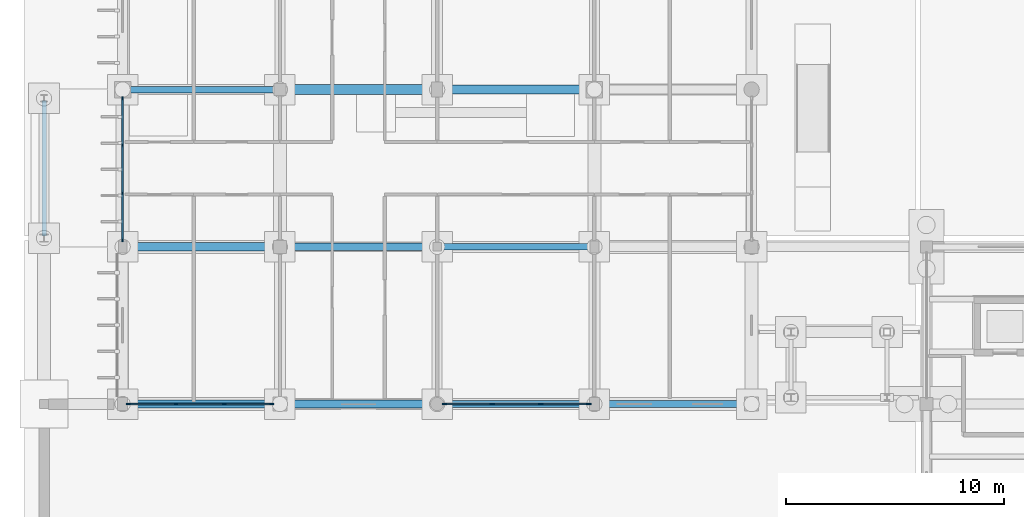
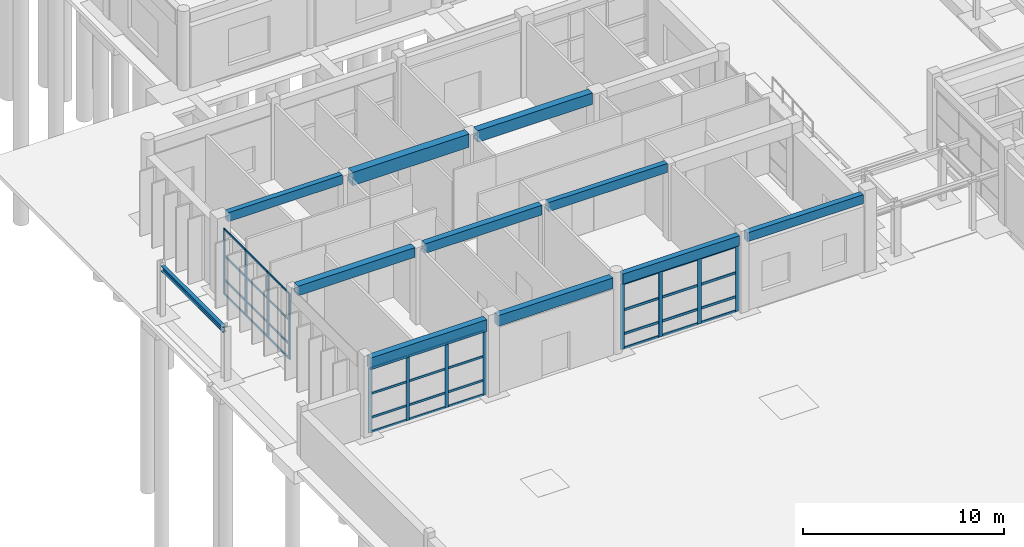
# One storey, part 34 of 143: 48 members, 11 beams, 3 elements without a shape of their own.
"""IFC4 building model written with IfcOpenShell, lengths in metres."""

from ifc_helpers import new_model, si_unit, direction, frame, origin, origin_2d, place, context, subcontext, project, spatial, rectangle, i_section, extrude, material, material_profile, profile_set, type_object, element, aggregate, save


model = new_model("IFC4")

# Units and contexts
model_context = context("Model", 3, precision=1e-05, world=origin(), true_north=direction((0.0, 1.0)))
body_context = subcontext(model_context, "Body", "Model", "MODEL_VIEW")
ifc_project = project(units=[si_unit("LENGTHUNIT", "METRE"), si_unit("AREAUNIT", "SQUARE_METRE"), si_unit("VOLUMEUNIT", "CUBIC_METRE"), si_unit("PLANEANGLEUNIT", "RADIAN"), si_unit("MASSUNIT", "GRAM", prefix="KILO")], contexts=[model_context])

# Site, building, storey
site_placement = place(None, origin())
site = spatial("IfcSite", under=ifc_project, at=site_placement, CompositionType="ELEMENT")
building_placement = place(site_placement, origin())
building = spatial("IfcBuilding", under=site, at=building_placement, Name="Steenspoor Specialist Clinic", CompositionType="ELEMENT")
storey_placement = place(building_placement, origin())
storey = spatial("IfcBuildingStorey", under=building, at=storey_placement, Name="L00", CompositionType="ELEMENT", Elevation=0.0)

# Beams
ifc_material_1 = material(Name="Concrete C35/45", Category="concrete")
ifc_material_profile_1 = material_profile(ifc_material_1, rectangle(XDim=0.300048828125, YDim=0.550048828125, at=origin_2d()), Name="RC-BM-300X550")
ifc_profile_set_1 = profile_set([ifc_material_profile_1], Name="Concrete C35/45")
beam_type_1 = type_object("IfcBeamType", Name="BM-RC-300X550", PredefinedType="BEAM", material=ifc_profile_set_1)
beam_1_placement = place(storey_placement, frame((22.9951171875, 41.85009765625, 4.360107421875), z_axis=(1.0, 0.0, 0.0), x_axis=(0.0, 1.0, 0.0)))
element("IfcBeam", 1, at=beam_1_placement, inside=storey, type_object=beam_type_1, Name="BM-V3-L00-X0276", PredefinedType="BEAM", context=body_context, shape_type="SweptSolid", body=[
    extrude(rectangle(XDim=0.300048828125, YDim=0.550048828125, at=origin_2d()), origin(), (0.0, 0.0, 1.0), 6.809814453125),
])
beam_2_placement = place(storey_placement, frame((8.77001953125, 49.050048828125, 4.360107421875), z_axis=(1.0, 0.0, 0.0), x_axis=(0.0, 1.0, 0.0)))
element("IfcBeam", 2, at=beam_2_placement, inside=storey, type_object=beam_type_1, Name="BM-V3-L00-X0278", PredefinedType="BEAM", context=body_context, shape_type="SweptSolid", body=[
    extrude(rectangle(XDim=0.300048828125, YDim=0.550048828125, at=origin_2d()), origin(), (0.0, 0.0, 1.0), 6.56005859375),
])
ifc_material_profile_2 = material_profile(ifc_material_1, rectangle(XDim=0.35009765625, YDim=0.580078125, at=origin_2d()), Name="RC-BM-350X580")
ifc_profile_set_2 = profile_set([ifc_material_profile_2], Name="Concrete C35/45")
beam_type_2 = type_object("IfcBeamType", Name="BM-RC-350X580", PredefinedType="BEAM", material=ifc_profile_set_2)
beam_3_placement = place(storey_placement, frame((15.89501953125, 41.85009765625, 4.344970703125), z_axis=(1.0, 0.0, 0.0), x_axis=(0.0, 1.0, 0.0)))
element("IfcBeam", 3, at=beam_3_placement, inside=storey, type_object=beam_type_2, Name="BM-V3-L00-X0275", PredefinedType="BEAM", context=body_context, shape_type="SweptSolid", body=[
    extrude(rectangle(XDim=0.35009765625, YDim=0.580078125, at=origin_2d()), origin(), (0.0, 0.0, 1.0), 6.7099609375),
])
ifc_material_profile_3 = material_profile(ifc_material_1, rectangle(XDim=0.39990234375, YDim=0.580078125, at=origin_2d()), Name="RC-BM-400X580")
ifc_profile_set_3 = profile_set([ifc_material_profile_3], Name="Concrete C35/45")
beam_type_3 = type_object("IfcBeamType", Name="BM-RC-400X580", PredefinedType="BEAM", material=ifc_profile_set_3)
beam_4_placement = place(storey_placement, frame((8.594970703125, 41.85009765625, 4.344970703125), z_axis=(1.0, 0.0, 0.0), x_axis=(0.0, 1.0, 0.0)))
element("IfcBeam", 4, at=beam_4_placement, inside=storey, type_object=beam_type_3, Name="BM-V3-L00-X0274", PredefinedType="BEAM", context=body_context, shape_type="SweptSolid", body=[
    extrude(rectangle(XDim=0.39990234375, YDim=0.580078125, at=origin_2d()), origin(), (0.0, 0.0, 1.0), 6.7099609375),
])
ifc_material_profile_4 = material_profile(ifc_material_1, rectangle(XDim=0.39990234375, YDim=0.699951171875, at=origin_2d()), Name="RC-BM-400X700")
ifc_profile_set_4 = profile_set([ifc_material_profile_4], Name="Concrete C35/45")
beam_type_4 = type_object("IfcBeamType", Name="BM-RC-400X700", PredefinedType="BEAM", material=ifc_profile_set_4)
beam_5_placement = place(storey_placement, frame((23.044921875, 49.050048828125, 4.284912109375), z_axis=(1.0, 0.0, 0.0), x_axis=(0.0, 1.0, 0.0)))
element("IfcBeam", 5, at=beam_5_placement, inside=storey, type_object=beam_type_4, Name="BM-V3-L00-X0280", PredefinedType="BEAM", context=body_context, shape_type="SweptSolid", body=[
    extrude(rectangle(XDim=0.39990234375, YDim=0.699951171875, at=origin_2d()), origin(), (0.0, 0.0, 1.0), 6.5849609375),
])
ifc_material_profile_5 = material_profile(ifc_material_1, rectangle(XDim=0.449951171875, YDim=0.800048828125, at=origin_2d()), Name="RC-BM-450X800")
ifc_profile_set_5 = profile_set([ifc_material_profile_5], Name="Concrete C35/45")
beam_type_5 = type_object("IfcBeamType", Name="BM-RC-450X800", PredefinedType="BEAM", material=ifc_profile_set_5)
beam_6_placement = place(storey_placement, frame((15.8701171875, 49.050048828125, 4.235107421875), z_axis=(1.0, 0.0, 0.0), x_axis=(0.0, 1.0, 0.0)))
element("IfcBeam", 6, at=beam_6_placement, inside=storey, type_object=beam_type_5, Name="BM-V3-L00-X0279", PredefinedType="BEAM", context=body_context, shape_type="SweptSolid", body=[
    extrude(rectangle(XDim=0.449951171875, YDim=0.800048828125, at=origin_2d()), origin(), (0.0, 0.0, 1.0), 6.684814453125),
])
ifc_material_2 = material(Name="Steel A992 Grade 50", Category="steel")
ifc_material_profile_6 = material_profile(ifc_material_2, i_section(OverallWidth=0.205078125, OverallDepth=0.31005859375, WebThickness=0.009521484375, FlangeThickness=0.016357421875, at=origin_2d()), Name="W310X74")
ifc_profile_set_6 = profile_set([ifc_material_profile_6], Name="Steel A992 Grade 50")
beam_type_6 = type_object("IfcBeamType", Name="BM-ST-W310X74", PredefinedType="SPANDREL", material=ifc_profile_set_6)
beam_7_placement = place(storey_placement, frame((4.800048828125, 42.35009765625, 2.929931640625), z_axis=(0.0, 1.0, 0.0), x_axis=(-1.0, 0.0, 0.0)))
element("IfcBeam", 7, at=beam_7_placement, inside=storey, type_object=beam_type_6, Name="BM-PORCH-WEST-01", PredefinedType="SPANDREL", context=body_context, shape_type="SweptSolid", body=[
    extrude(i_section(OverallWidth=0.205078125, OverallDepth=0.31005859375, WebThickness=0.009521484375, FlangeThickness=0.016357421875, at=origin_2d()), origin(), (0.0, 0.0, 1.0), 6.199951171875),
])

# Curtain wall, members
ifc_material_3 = material(Name="Thermally broken aluminium and low-emissivity glass", Category="aluminium")
curtain_wall_type_1 = type_object("IfcCurtainWallType", Name="CW-TYP-360X355", PredefinedType="USERDEFINED", material=ifc_material_3)
curtain_wall_1_placement = place(storey_placement, origin())
curtain_wall_1 = element("IfcCurtainWall", 8, at=curtain_wall_1_placement, inside=storey, type_object=curtain_wall_type_1, Name="Unitised Curtain Wall CW-V3-L00-038", ObjectType="UNITISED GLAZING", PredefinedType="USERDEFINED")
ifc_material_4 = material(Name="Thermally broken aluminium 6063-T6", Category="aluminium")
ifc_material_profile_7 = material_profile(ifc_material_4, rectangle(XDim=0.070068359375, YDim=0.1650390625, at=origin_2d()), Name="CWM-70X165")
ifc_profile_set_7 = profile_set([ifc_material_profile_7], Name="Thermally broken aluminium 6063-T6")
member_type_1 = type_object("IfcMemberType", Name="CW-MULL-70X165", PredefinedType="MULLION", material=ifc_profile_set_7)
member_1_placement = place(storey_placement, frame((8.39990234375, 42.159912109375, 0.0), z_axis=(0.0, 0.0, 1.0), x_axis=(-1.0, 0.0, 0.0)))
member_1 = element("IfcMember", 9, at=member_1_placement, type_object=member_type_1, Name="CW-14 mullion 1", PredefinedType="MULLION", context=body_context, shape_type="SweptSolid", body=[
    extrude(rectangle(XDim=0.070068359375, YDim=0.1650390625, at=origin_2d()), origin(), (0.0, 0.0, 1.0), 3.97998046875),
])
member_2_placement = place(storey_placement, frame((8.39990234375, 44.308349609375, 0.0), z_axis=(0.0, 0.0, 1.0), x_axis=(-1.0, 0.0, 0.0)))
member_2 = element("IfcMember", 10, at=member_2_placement, type_object=member_type_1, Name="CW-14 mullion 2", PredefinedType="MULLION", context=body_context, shape_type="SweptSolid", body=[
    extrude(rectangle(XDim=0.070068359375, YDim=0.1650390625, at=origin_2d()), origin(), (0.0, 0.0, 1.0), 3.97998046875),
])
member_3_placement = place(storey_placement, frame((8.39990234375, 46.49169921875, 0.0), z_axis=(0.0, 0.0, 1.0), x_axis=(-1.0, 0.0, 0.0)))
member_3 = element("IfcMember", 11, at=member_3_placement, type_object=member_type_1, Name="CW-14 mullion 3", PredefinedType="MULLION", context=body_context, shape_type="SweptSolid", body=[
    extrude(rectangle(XDim=0.070068359375, YDim=0.1650390625, at=origin_2d()), origin(), (0.0, 0.0, 1.0), 3.97998046875),
])
member_4_placement = place(storey_placement, frame((8.39990234375, 48.639892578125, 0.0), z_axis=(0.0, 0.0, 1.0), x_axis=(-1.0, 0.0, 0.0)))
member_4 = element("IfcMember", 12, at=member_4_placement, type_object=member_type_1, Name="CW-14 mullion 4", PredefinedType="MULLION", context=body_context, shape_type="SweptSolid", body=[
    extrude(rectangle(XDim=0.070068359375, YDim=0.1650390625, at=origin_2d()), origin(), (0.0, 0.0, 1.0), 3.97998046875),
])

curtain_wall_type_2 = type_object("IfcCurtainWallType", Name="CW-TYP-420X355", PredefinedType="USERDEFINED", material=ifc_material_3)
curtain_wall_2_placement = place(storey_placement, origin())
curtain_wall_2 = element("IfcCurtainWall", 13, at=curtain_wall_2_placement, inside=storey, type_object=curtain_wall_type_2, Name="Unitised Curtain Wall CW-V3-L00-037", ObjectType="UNITISED GLAZING", PredefinedType="USERDEFINED")
ifc_material_profile_8 = material_profile(ifc_material_4, rectangle(XDim=0.080078125, YDim=0.179931640625, at=origin_2d()), Name="CWM-80X180")
ifc_profile_set_8 = profile_set([ifc_material_profile_8], Name="Thermally broken aluminium 6063-T6")
member_type_2 = type_object("IfcMemberType", Name="CW-MULL-80X180", PredefinedType="MULLION", material=ifc_profile_set_8)
member_5_placement = place(storey_placement, frame((15.235107421875, 34.64990234375, 0.0), z_axis=(0.0, 0.0, 1.0), x_axis=(0.0, -1.0, 0.0)))
member_5 = element("IfcMember", 14, at=member_5_placement, type_object=member_type_2, Name="CW-13 mullion 1", PredefinedType="MULLION", context=body_context, shape_type="SweptSolid", body=[
    extrude(rectangle(XDim=0.080078125, YDim=0.179931640625, at=origin_2d()), origin(), (0.0, 0.0, 1.0), 3.89990234375),
])
member_6_placement = place(storey_placement, frame((13.058349609375, 34.64990234375, 0.0), z_axis=(0.0, 0.0, 1.0), x_axis=(0.0, -1.0, 0.0)))
member_6 = element("IfcMember", 15, at=member_6_placement, type_object=member_type_2, Name="CW-13 mullion 2", PredefinedType="MULLION", context=body_context, shape_type="SweptSolid", body=[
    extrude(rectangle(XDim=0.080078125, YDim=0.179931640625, at=origin_2d()), origin(), (0.0, 0.0, 1.0), 3.89990234375),
])
member_7_placement = place(storey_placement, frame((10.841552734375, 34.64990234375, 0.0), z_axis=(0.0, 0.0, 1.0), x_axis=(0.0, -1.0, 0.0)))
member_7 = element("IfcMember", 16, at=member_7_placement, type_object=member_type_2, Name="CW-13 mullion 3", PredefinedType="MULLION", context=body_context, shape_type="SweptSolid", body=[
    extrude(rectangle(XDim=0.080078125, YDim=0.179931640625, at=origin_2d()), origin(), (0.0, 0.0, 1.0), 3.89990234375),
])
member_8_placement = place(storey_placement, frame((8.6650390625, 34.64990234375, 0.0), z_axis=(0.0, 0.0, 1.0), x_axis=(0.0, -1.0, 0.0)))
member_8 = element("IfcMember", 17, at=member_8_placement, type_object=member_type_2, Name="CW-13 mullion 4", PredefinedType="MULLION", context=body_context, shape_type="SweptSolid", body=[
    extrude(rectangle(XDim=0.080078125, YDim=0.179931640625, at=origin_2d()), origin(), (0.0, 0.0, 1.0), 3.89990234375),
])

curtain_wall_type_3 = type_object("IfcCurtainWallType", Name="CW-TYP-480X355", PredefinedType="USERDEFINED", material=ifc_material_3)
curtain_wall_3_placement = place(storey_placement, origin())
curtain_wall_3 = element("IfcCurtainWall", 18, at=curtain_wall_3_placement, inside=storey, type_object=curtain_wall_type_3, Name="Unitised Curtain Wall CW-V3-L00-036", ObjectType="UNITISED GLAZING", PredefinedType="USERDEFINED")
ifc_material_profile_9 = material_profile(ifc_material_4, rectangle(XDim=0.080078125, YDim=0.219970703125, at=origin_2d()), Name="CWM-80X220")
ifc_profile_set_9 = profile_set([ifc_material_profile_9], Name="Thermally broken aluminium 6063-T6")
member_type_3 = type_object("IfcMemberType", Name="CW-MULL-80X220", PredefinedType="MULLION", material=ifc_profile_set_9)
member_9_placement = place(storey_placement, frame((29.735107421875, 34.64990234375, 0.0), z_axis=(0.0, 0.0, 1.0), x_axis=(0.0, -1.0, 0.0)))
member_9 = element("IfcMember", 19, at=member_9_placement, type_object=member_type_3, Name="CW-12 mullion 1", PredefinedType="MULLION", context=body_context, shape_type="SweptSolid", body=[
    extrude(rectangle(XDim=0.080078125, YDim=0.219970703125, at=origin_2d()), origin(), (0.0, 0.0, 1.0), 3.97998046875),
])
member_10_placement = place(storey_placement, frame((27.550048828125, 34.64990234375, 0.0), z_axis=(0.0, 0.0, 1.0), x_axis=(0.0, -1.0, 0.0)))
member_10 = element("IfcMember", 20, at=member_10_placement, type_object=member_type_3, Name="CW-12 mullion 2", PredefinedType="MULLION", context=body_context, shape_type="SweptSolid", body=[
    extrude(rectangle(XDim=0.080078125, YDim=0.219970703125, at=origin_2d()), origin(), (0.0, 0.0, 1.0), 3.97998046875),
])
member_11_placement = place(storey_placement, frame((25.324951171875, 34.64990234375, 0.0), z_axis=(0.0, 0.0, 1.0), x_axis=(0.0, -1.0, 0.0)))
member_11 = element("IfcMember", 21, at=member_11_placement, type_object=member_type_3, Name="CW-12 mullion 3", PredefinedType="MULLION", context=body_context, shape_type="SweptSolid", body=[
    extrude(rectangle(XDim=0.080078125, YDim=0.219970703125, at=origin_2d()), origin(), (0.0, 0.0, 1.0), 3.97998046875),
])
member_12_placement = place(storey_placement, frame((23.139892578125, 34.64990234375, 0.0), z_axis=(0.0, 0.0, 1.0), x_axis=(0.0, -1.0, 0.0)))
member_12 = element("IfcMember", 22, at=member_12_placement, type_object=member_type_3, Name="CW-12 mullion 4", PredefinedType="MULLION", context=body_context, shape_type="SweptSolid", body=[
    extrude(rectangle(XDim=0.080078125, YDim=0.219970703125, at=origin_2d()), origin(), (0.0, 0.0, 1.0), 3.97998046875),
])

# Member
ifc_material_profile_10 = material_profile(ifc_material_4, rectangle(XDim=0.06005859375, YDim=0.114990234375, at=origin_2d()), Name="CWT-60X115")
ifc_profile_set_10 = profile_set([ifc_material_profile_10], Name="Thermally broken aluminium 6063-T6")
member_type_4 = type_object("IfcMemberType", Name="CW-TRAN-60X115", PredefinedType="USERDEFINED", material=ifc_profile_set_10)
member_13_placement = place(storey_placement, frame((8.39990234375, 42.195068359375, 0.030029296875), z_axis=(0.0, 1.0, 0.0), x_axis=(-1.0, 0.0, 0.0)))
member_13 = element("IfcMember", 23, at=member_13_placement, type_object=member_type_4, Name="CW-14 transom 1.1", ObjectType="TRANSOM", PredefinedType="USERDEFINED", context=body_context, shape_type="SweptSolid", body=[
    extrude(rectangle(XDim=0.06005859375, YDim=0.114990234375, at=origin_2d()), origin(), (0.0, 0.0, 1.0), 2.078369140625),
])

member_14_placement = place(storey_placement, frame((8.39990234375, 42.195068359375, 0.89990234375), z_axis=(0.0, 1.0, 0.0), x_axis=(-1.0, 0.0, 0.0)))
member_14 = element("IfcMember", 24, at=member_14_placement, type_object=member_type_4, Name="CW-14 transom 1.2", ObjectType="TRANSOM", PredefinedType="USERDEFINED", context=body_context, shape_type="SweptSolid", body=[
    extrude(rectangle(XDim=0.06005859375, YDim=0.114990234375, at=origin_2d()), origin(), (0.0, 0.0, 1.0), 2.078369140625),
])

member_15_placement = place(storey_placement, frame((8.39990234375, 42.195068359375, 2.35009765625), z_axis=(0.0, 1.0, 0.0), x_axis=(-1.0, 0.0, 0.0)))
member_15 = element("IfcMember", 25, at=member_15_placement, type_object=member_type_4, Name="CW-14 transom 1.3", ObjectType="TRANSOM", PredefinedType="USERDEFINED", context=body_context, shape_type="SweptSolid", body=[
    extrude(rectangle(XDim=0.06005859375, YDim=0.114990234375, at=origin_2d()), origin(), (0.0, 0.0, 1.0), 2.078369140625),
])

member_16_placement = place(storey_placement, frame((8.39990234375, 42.195068359375, 3.949951171875), z_axis=(0.0, 1.0, 0.0), x_axis=(-1.0, 0.0, 0.0)))
member_16 = element("IfcMember", 26, at=member_16_placement, type_object=member_type_4, Name="CW-14 transom 1.4", ObjectType="TRANSOM", PredefinedType="USERDEFINED", context=body_context, shape_type="SweptSolid", body=[
    extrude(rectangle(XDim=0.06005859375, YDim=0.114990234375, at=origin_2d()), origin(), (0.0, 0.0, 1.0), 2.078369140625),
])

member_17_placement = place(storey_placement, frame((8.39990234375, 44.34326171875, 0.030029296875), z_axis=(0.0, 1.0, 0.0), x_axis=(-1.0, 0.0, 0.0)))
member_17 = element("IfcMember", 27, at=member_17_placement, type_object=member_type_4, Name="CW-14 transom 2.1", ObjectType="TRANSOM", PredefinedType="USERDEFINED", context=body_context, shape_type="SweptSolid", body=[
    extrude(rectangle(XDim=0.06005859375, YDim=0.114990234375, at=origin_2d()), origin(), (0.0, 0.0, 1.0), 2.113525390625),
])

member_18_placement = place(storey_placement, frame((8.39990234375, 44.34326171875, 0.89990234375), z_axis=(0.0, 1.0, 0.0), x_axis=(-1.0, 0.0, 0.0)))
member_18 = element("IfcMember", 28, at=member_18_placement, type_object=member_type_4, Name="CW-14 transom 2.2", ObjectType="TRANSOM", PredefinedType="USERDEFINED", context=body_context, shape_type="SweptSolid", body=[
    extrude(rectangle(XDim=0.06005859375, YDim=0.114990234375, at=origin_2d()), origin(), (0.0, 0.0, 1.0), 2.113525390625),
])

member_19_placement = place(storey_placement, frame((8.39990234375, 44.34326171875, 2.35009765625), z_axis=(0.0, 1.0, 0.0), x_axis=(-1.0, 0.0, 0.0)))
member_19 = element("IfcMember", 29, at=member_19_placement, type_object=member_type_4, Name="CW-14 transom 2.3", ObjectType="TRANSOM", PredefinedType="USERDEFINED", context=body_context, shape_type="SweptSolid", body=[
    extrude(rectangle(XDim=0.06005859375, YDim=0.114990234375, at=origin_2d()), origin(), (0.0, 0.0, 1.0), 2.113525390625),
])

member_20_placement = place(storey_placement, frame((8.39990234375, 44.34326171875, 3.949951171875), z_axis=(0.0, 1.0, 0.0), x_axis=(-1.0, 0.0, 0.0)))
member_20 = element("IfcMember", 30, at=member_20_placement, type_object=member_type_4, Name="CW-14 transom 2.4", ObjectType="TRANSOM", PredefinedType="USERDEFINED", context=body_context, shape_type="SweptSolid", body=[
    extrude(rectangle(XDim=0.06005859375, YDim=0.114990234375, at=origin_2d()), origin(), (0.0, 0.0, 1.0), 2.113525390625),
])

member_21_placement = place(storey_placement, frame((8.39990234375, 46.526611328125, 0.030029296875), z_axis=(0.0, 1.0, 0.0), x_axis=(-1.0, 0.0, 0.0)))
member_21 = element("IfcMember", 31, at=member_21_placement, type_object=member_type_4, Name="CW-14 transom 3.1", ObjectType="TRANSOM", PredefinedType="USERDEFINED", context=body_context, shape_type="SweptSolid", body=[
    extrude(rectangle(XDim=0.06005859375, YDim=0.114990234375, at=origin_2d()), origin(), (0.0, 0.0, 1.0), 2.078369140625),
])

member_22_placement = place(storey_placement, frame((8.39990234375, 46.526611328125, 0.89990234375), z_axis=(0.0, 1.0, 0.0), x_axis=(-1.0, 0.0, 0.0)))
member_22 = element("IfcMember", 32, at=member_22_placement, type_object=member_type_4, Name="CW-14 transom 3.2", ObjectType="TRANSOM", PredefinedType="USERDEFINED", context=body_context, shape_type="SweptSolid", body=[
    extrude(rectangle(XDim=0.06005859375, YDim=0.114990234375, at=origin_2d()), origin(), (0.0, 0.0, 1.0), 2.078369140625),
])

member_23_placement = place(storey_placement, frame((8.39990234375, 46.526611328125, 2.35009765625), z_axis=(0.0, 1.0, 0.0), x_axis=(-1.0, 0.0, 0.0)))
member_23 = element("IfcMember", 33, at=member_23_placement, type_object=member_type_4, Name="CW-14 transom 3.3", ObjectType="TRANSOM", PredefinedType="USERDEFINED", context=body_context, shape_type="SweptSolid", body=[
    extrude(rectangle(XDim=0.06005859375, YDim=0.114990234375, at=origin_2d()), origin(), (0.0, 0.0, 1.0), 2.078369140625),
])

member_24_placement = place(storey_placement, frame((8.39990234375, 46.526611328125, 3.949951171875), z_axis=(0.0, 1.0, 0.0), x_axis=(-1.0, 0.0, 0.0)))
member_24 = element("IfcMember", 34, at=member_24_placement, type_object=member_type_4, Name="CW-14 transom 3.4", ObjectType="TRANSOM", PredefinedType="USERDEFINED", context=body_context, shape_type="SweptSolid", body=[
    extrude(rectangle(XDim=0.06005859375, YDim=0.114990234375, at=origin_2d()), origin(), (0.0, 0.0, 1.0), 2.078369140625),
])

aggregate(curtain_wall_1, [member_1, member_2, member_3, member_4, member_13, member_14, member_15, member_16, member_17, member_18, member_19, member_20, member_21, member_22, member_23, member_24])

ifc_material_profile_11 = material_profile(ifc_material_4, rectangle(XDim=0.06494140625, YDim=0.1298828125, at=origin_2d()), Name="CWT-65X130")
ifc_profile_set_11 = profile_set([ifc_material_profile_11], Name="Thermally broken aluminium 6063-T6")
member_type_5 = type_object("IfcMemberType", Name="CW-TRAN-65X130", PredefinedType="USERDEFINED", material=ifc_profile_set_11)
member_25_placement = place(storey_placement, frame((15.195068359375, 34.64990234375, 0.032470703125), z_axis=(-1.0, 0.0, 0.0), x_axis=(0.0, -1.0, 0.0)))
member_25 = element("IfcMember", 35, at=member_25_placement, type_object=member_type_5, Name="CW-13 transom 1.1", ObjectType="TRANSOM", PredefinedType="USERDEFINED", context=body_context, shape_type="SweptSolid", body=[
    extrude(rectangle(XDim=0.06494140625, YDim=0.1298828125, at=origin_2d()), origin(), (0.0, 0.0, 1.0), 2.0966796875),
])

member_26_placement = place(storey_placement, frame((15.195068359375, 34.64990234375, 0.89990234375), z_axis=(-1.0, 0.0, 0.0), x_axis=(0.0, -1.0, 0.0)))
member_26 = element("IfcMember", 36, at=member_26_placement, type_object=member_type_5, Name="CW-13 transom 1.2", ObjectType="TRANSOM", PredefinedType="USERDEFINED", context=body_context, shape_type="SweptSolid", body=[
    extrude(rectangle(XDim=0.06494140625, YDim=0.1298828125, at=origin_2d()), origin(), (0.0, 0.0, 1.0), 2.0966796875),
])

member_27_placement = place(storey_placement, frame((15.195068359375, 34.64990234375, 2.35009765625), z_axis=(-1.0, 0.0, 0.0), x_axis=(0.0, -1.0, 0.0)))
member_27 = element("IfcMember", 37, at=member_27_placement, type_object=member_type_5, Name="CW-13 transom 1.3", ObjectType="TRANSOM", PredefinedType="USERDEFINED", context=body_context, shape_type="SweptSolid", body=[
    extrude(rectangle(XDim=0.06494140625, YDim=0.1298828125, at=origin_2d()), origin(), (0.0, 0.0, 1.0), 2.0966796875),
])

member_28_placement = place(storey_placement, frame((15.195068359375, 34.64990234375, 3.867431640625), z_axis=(-1.0, 0.0, 0.0), x_axis=(0.0, -1.0, 0.0)))
member_28 = element("IfcMember", 38, at=member_28_placement, type_object=member_type_5, Name="CW-13 transom 1.4", ObjectType="TRANSOM", PredefinedType="USERDEFINED", context=body_context, shape_type="SweptSolid", body=[
    extrude(rectangle(XDim=0.06494140625, YDim=0.1298828125, at=origin_2d()), origin(), (0.0, 0.0, 1.0), 2.0966796875),
])

member_29_placement = place(storey_placement, frame((13.018310546875, 34.64990234375, 0.032470703125), z_axis=(-1.0, 0.0, 0.0), x_axis=(0.0, -1.0, 0.0)))
member_29 = element("IfcMember", 39, at=member_29_placement, type_object=member_type_5, Name="CW-13 transom 2.1", ObjectType="TRANSOM", PredefinedType="USERDEFINED", context=body_context, shape_type="SweptSolid", body=[
    extrude(rectangle(XDim=0.06494140625, YDim=0.1298828125, at=origin_2d()), origin(), (0.0, 0.0, 1.0), 2.13671875),
])

member_30_placement = place(storey_placement, frame((13.018310546875, 34.64990234375, 0.89990234375), z_axis=(-1.0, 0.0, 0.0), x_axis=(0.0, -1.0, 0.0)))
member_30 = element("IfcMember", 40, at=member_30_placement, type_object=member_type_5, Name="CW-13 transom 2.2", ObjectType="TRANSOM", PredefinedType="USERDEFINED", context=body_context, shape_type="SweptSolid", body=[
    extrude(rectangle(XDim=0.06494140625, YDim=0.1298828125, at=origin_2d()), origin(), (0.0, 0.0, 1.0), 2.13671875),
])

member_31_placement = place(storey_placement, frame((13.018310546875, 34.64990234375, 2.35009765625), z_axis=(-1.0, 0.0, 0.0), x_axis=(0.0, -1.0, 0.0)))
member_31 = element("IfcMember", 41, at=member_31_placement, type_object=member_type_5, Name="CW-13 transom 2.3", ObjectType="TRANSOM", PredefinedType="USERDEFINED", context=body_context, shape_type="SweptSolid", body=[
    extrude(rectangle(XDim=0.06494140625, YDim=0.1298828125, at=origin_2d()), origin(), (0.0, 0.0, 1.0), 2.13671875),
])

member_32_placement = place(storey_placement, frame((13.018310546875, 34.64990234375, 3.867431640625), z_axis=(-1.0, 0.0, 0.0), x_axis=(0.0, -1.0, 0.0)))
member_32 = element("IfcMember", 42, at=member_32_placement, type_object=member_type_5, Name="CW-13 transom 2.4", ObjectType="TRANSOM", PredefinedType="USERDEFINED", context=body_context, shape_type="SweptSolid", body=[
    extrude(rectangle(XDim=0.06494140625, YDim=0.1298828125, at=origin_2d()), origin(), (0.0, 0.0, 1.0), 2.13671875),
])

member_33_placement = place(storey_placement, frame((10.8017578125, 34.64990234375, 0.032470703125), z_axis=(-1.0, 0.0, 0.0), x_axis=(0.0, -1.0, 0.0)))
member_33 = element("IfcMember", 43, at=member_33_placement, type_object=member_type_5, Name="CW-13 transom 3.1", ObjectType="TRANSOM", PredefinedType="USERDEFINED", context=body_context, shape_type="SweptSolid", body=[
    extrude(rectangle(XDim=0.06494140625, YDim=0.1298828125, at=origin_2d()), origin(), (0.0, 0.0, 1.0), 2.0966796875),
])

member_34_placement = place(storey_placement, frame((10.8017578125, 34.64990234375, 0.89990234375), z_axis=(-1.0, 0.0, 0.0), x_axis=(0.0, -1.0, 0.0)))
member_34 = element("IfcMember", 44, at=member_34_placement, type_object=member_type_5, Name="CW-13 transom 3.2", ObjectType="TRANSOM", PredefinedType="USERDEFINED", context=body_context, shape_type="SweptSolid", body=[
    extrude(rectangle(XDim=0.06494140625, YDim=0.1298828125, at=origin_2d()), origin(), (0.0, 0.0, 1.0), 2.0966796875),
])

member_35_placement = place(storey_placement, frame((10.8017578125, 34.64990234375, 2.35009765625), z_axis=(-1.0, 0.0, 0.0), x_axis=(0.0, -1.0, 0.0)))
member_35 = element("IfcMember", 45, at=member_35_placement, type_object=member_type_5, Name="CW-13 transom 3.3", ObjectType="TRANSOM", PredefinedType="USERDEFINED", context=body_context, shape_type="SweptSolid", body=[
    extrude(rectangle(XDim=0.06494140625, YDim=0.1298828125, at=origin_2d()), origin(), (0.0, 0.0, 1.0), 2.0966796875),
])

member_36_placement = place(storey_placement, frame((10.8017578125, 34.64990234375, 3.867431640625), z_axis=(-1.0, 0.0, 0.0), x_axis=(0.0, -1.0, 0.0)))
member_36 = element("IfcMember", 46, at=member_36_placement, type_object=member_type_5, Name="CW-13 transom 3.4", ObjectType="TRANSOM", PredefinedType="USERDEFINED", context=body_context, shape_type="SweptSolid", body=[
    extrude(rectangle(XDim=0.06494140625, YDim=0.1298828125, at=origin_2d()), origin(), (0.0, 0.0, 1.0), 2.0966796875),
])

aggregate(curtain_wall_2, [member_5, member_6, member_7, member_8, member_25, member_26, member_27, member_28, member_29, member_30, member_31, member_32, member_33, member_34, member_35, member_36])

ifc_material_profile_12 = material_profile(ifc_material_4, rectangle(XDim=0.070068359375, YDim=0.14501953125, at=origin_2d()), Name="CWT-70X145")
ifc_profile_set_12 = profile_set([ifc_material_profile_12], Name="Thermally broken aluminium 6063-T6")
member_type_6 = type_object("IfcMemberType", Name="CW-TRAN-70X145", PredefinedType="USERDEFINED", material=ifc_profile_set_12)
member_37_placement = place(storey_placement, frame((29.695068359375, 34.64990234375, 0.034912109375), z_axis=(-1.0, 0.0, 0.0), x_axis=(0.0, -1.0, 0.0)))
member_37 = element("IfcMember", 47, at=member_37_placement, type_object=member_type_6, Name="CW-12 transom 1.1", ObjectType="TRANSOM", PredefinedType="USERDEFINED", context=body_context, shape_type="SweptSolid", body=[
    extrude(rectangle(XDim=0.070068359375, YDim=0.14501953125, at=origin_2d()), origin(), (0.0, 0.0, 1.0), 2.10498046875),
])

member_38_placement = place(storey_placement, frame((29.695068359375, 34.64990234375, 0.89990234375), z_axis=(-1.0, 0.0, 0.0), x_axis=(0.0, -1.0, 0.0)))
member_38 = element("IfcMember", 48, at=member_38_placement, type_object=member_type_6, Name="CW-12 transom 1.2", ObjectType="TRANSOM", PredefinedType="USERDEFINED", context=body_context, shape_type="SweptSolid", body=[
    extrude(rectangle(XDim=0.070068359375, YDim=0.14501953125, at=origin_2d()), origin(), (0.0, 0.0, 1.0), 2.10498046875),
])

member_39_placement = place(storey_placement, frame((29.695068359375, 34.64990234375, 2.35009765625), z_axis=(-1.0, 0.0, 0.0), x_axis=(0.0, -1.0, 0.0)))
member_39 = element("IfcMember", 49, at=member_39_placement, type_object=member_type_6, Name="CW-12 transom 1.3", ObjectType="TRANSOM", PredefinedType="USERDEFINED", context=body_context, shape_type="SweptSolid", body=[
    extrude(rectangle(XDim=0.070068359375, YDim=0.14501953125, at=origin_2d()), origin(), (0.0, 0.0, 1.0), 2.10498046875),
])

member_40_placement = place(storey_placement, frame((29.695068359375, 34.64990234375, 3.945068359375), z_axis=(-1.0, 0.0, 0.0), x_axis=(0.0, -1.0, 0.0)))
member_40 = element("IfcMember", 50, at=member_40_placement, type_object=member_type_6, Name="CW-12 transom 1.4", ObjectType="TRANSOM", PredefinedType="USERDEFINED", context=body_context, shape_type="SweptSolid", body=[
    extrude(rectangle(XDim=0.070068359375, YDim=0.14501953125, at=origin_2d()), origin(), (0.0, 0.0, 1.0), 2.10498046875),
])

member_41_placement = place(storey_placement, frame((27.510009765625, 34.64990234375, 0.034912109375), z_axis=(-1.0, 0.0, 0.0), x_axis=(0.0, -1.0, 0.0)))
member_41 = element("IfcMember", 51, at=member_41_placement, type_object=member_type_6, Name="CW-12 transom 2.1", ObjectType="TRANSOM", PredefinedType="USERDEFINED", context=body_context, shape_type="SweptSolid", body=[
    extrude(rectangle(XDim=0.070068359375, YDim=0.14501953125, at=origin_2d()), origin(), (0.0, 0.0, 1.0), 2.14501953125),
])

member_42_placement = place(storey_placement, frame((27.510009765625, 34.64990234375, 0.89990234375), z_axis=(-1.0, 0.0, 0.0), x_axis=(0.0, -1.0, 0.0)))
member_42 = element("IfcMember", 52, at=member_42_placement, type_object=member_type_6, Name="CW-12 transom 2.2", ObjectType="TRANSOM", PredefinedType="USERDEFINED", context=body_context, shape_type="SweptSolid", body=[
    extrude(rectangle(XDim=0.070068359375, YDim=0.14501953125, at=origin_2d()), origin(), (0.0, 0.0, 1.0), 2.14501953125),
])

member_43_placement = place(storey_placement, frame((27.510009765625, 34.64990234375, 2.35009765625), z_axis=(-1.0, 0.0, 0.0), x_axis=(0.0, -1.0, 0.0)))
member_43 = element("IfcMember", 53, at=member_43_placement, type_object=member_type_6, Name="CW-12 transom 2.3", ObjectType="TRANSOM", PredefinedType="USERDEFINED", context=body_context, shape_type="SweptSolid", body=[
    extrude(rectangle(XDim=0.070068359375, YDim=0.14501953125, at=origin_2d()), origin(), (0.0, 0.0, 1.0), 2.14501953125),
])

member_44_placement = place(storey_placement, frame((27.510009765625, 34.64990234375, 3.945068359375), z_axis=(-1.0, 0.0, 0.0), x_axis=(0.0, -1.0, 0.0)))
member_44 = element("IfcMember", 54, at=member_44_placement, type_object=member_type_6, Name="CW-12 transom 2.4", ObjectType="TRANSOM", PredefinedType="USERDEFINED", context=body_context, shape_type="SweptSolid", body=[
    extrude(rectangle(XDim=0.070068359375, YDim=0.14501953125, at=origin_2d()), origin(), (0.0, 0.0, 1.0), 2.14501953125),
])

member_45_placement = place(storey_placement, frame((25.284912109375, 34.64990234375, 0.034912109375), z_axis=(-1.0, 0.0, 0.0), x_axis=(0.0, -1.0, 0.0)))
member_45 = element("IfcMember", 55, at=member_45_placement, type_object=member_type_6, Name="CW-12 transom 3.1", ObjectType="TRANSOM", PredefinedType="USERDEFINED", context=body_context, shape_type="SweptSolid", body=[
    extrude(rectangle(XDim=0.070068359375, YDim=0.14501953125, at=origin_2d()), origin(), (0.0, 0.0, 1.0), 2.10498046875),
])

member_46_placement = place(storey_placement, frame((25.284912109375, 34.64990234375, 0.89990234375), z_axis=(-1.0, 0.0, 0.0), x_axis=(0.0, -1.0, 0.0)))
member_46 = element("IfcMember", 56, at=member_46_placement, type_object=member_type_6, Name="CW-12 transom 3.2", ObjectType="TRANSOM", PredefinedType="USERDEFINED", context=body_context, shape_type="SweptSolid", body=[
    extrude(rectangle(XDim=0.070068359375, YDim=0.14501953125, at=origin_2d()), origin(), (0.0, 0.0, 1.0), 2.10498046875),
])

member_47_placement = place(storey_placement, frame((25.284912109375, 34.64990234375, 2.35009765625), z_axis=(-1.0, 0.0, 0.0), x_axis=(0.0, -1.0, 0.0)))
member_47 = element("IfcMember", 57, at=member_47_placement, type_object=member_type_6, Name="CW-12 transom 3.3", ObjectType="TRANSOM", PredefinedType="USERDEFINED", context=body_context, shape_type="SweptSolid", body=[
    extrude(rectangle(XDim=0.070068359375, YDim=0.14501953125, at=origin_2d()), origin(), (0.0, 0.0, 1.0), 2.10498046875),
])

member_48_placement = place(storey_placement, frame((25.284912109375, 34.64990234375, 3.945068359375), z_axis=(-1.0, 0.0, 0.0), x_axis=(0.0, -1.0, 0.0)))
member_48 = element("IfcMember", 58, at=member_48_placement, type_object=member_type_6, Name="CW-12 transom 3.4", ObjectType="TRANSOM", PredefinedType="USERDEFINED", context=body_context, shape_type="SweptSolid", body=[
    extrude(rectangle(XDim=0.070068359375, YDim=0.14501953125, at=origin_2d()), origin(), (0.0, 0.0, 1.0), 2.10498046875),
])

aggregate(curtain_wall_3, [member_9, member_10, member_11, member_12, member_37, member_38, member_39, member_40, member_41, member_42, member_43, member_44, member_45, member_46, member_47, member_48])

# Beams
ifc_material_profile_13 = material_profile(ifc_material_1, rectangle(XDim=0.320068359375, YDim=0.5400390625, at=origin_2d()), Name="RC-SP-320X540")
ifc_profile_set_13 = profile_set([ifc_material_profile_13], Name="Concrete C35/45")
beam_type_7 = type_object("IfcBeamType", Name="SP-RC-320X540", PredefinedType="SPANDREL", material=ifc_profile_set_13)
beam_8_placement = place(storey_placement, frame((30.219970703125, 34.64990234375, 4.364990234375), z_axis=(1.0, 0.0, 0.0), x_axis=(0.0, 1.0, 0.0)))
element("IfcBeam", 59, at=beam_8_placement, inside=storey, type_object=beam_type_7, Name="BM-V3-L00-X0273", PredefinedType="SPANDREL", context=body_context, shape_type="SweptSolid", body=[
    extrude(rectangle(XDim=0.320068359375, YDim=0.5400390625, at=origin_2d()), origin(), (0.0, 0.0, 1.0), 6.659912109375),
])
ifc_material_profile_14 = material_profile(ifc_material_1, rectangle(XDim=0.320068359375, YDim=0.60009765625, at=origin_2d()), Name="RC-SP-320X600")
ifc_profile_set_14 = profile_set([ifc_material_profile_14], Name="Concrete C35/45")
beam_type_8 = type_object("IfcBeamType", Name="SP-RC-320X600", PredefinedType="SPANDREL", material=ifc_profile_set_14)
beam_9_placement = place(storey_placement, frame((23.094970703125, 34.64990234375, 4.3349609375), z_axis=(1.0, 0.0, 0.0), x_axis=(0.0, 1.0, 0.0)))
element("IfcBeam", 60, at=beam_9_placement, inside=storey, type_object=beam_type_8, Name="BM-V3-L00-X0272", PredefinedType="SPANDREL", context=body_context, shape_type="SweptSolid", body=[
    extrude(rectangle(XDim=0.320068359375, YDim=0.60009765625, at=origin_2d()), origin(), (0.0, 0.0, 1.0), 6.68505859375),
])
ifc_material_profile_15 = material_profile(ifc_material_1, rectangle(XDim=0.360107421875, YDim=0.639892578125, at=origin_2d()), Name="RC-SP-360X640")
ifc_profile_set_15 = profile_set([ifc_material_profile_15], Name="Concrete C35/45")
beam_type_9 = type_object("IfcBeamType", Name="SP-RC-360X640", PredefinedType="SPANDREL", material=ifc_profile_set_15)
beam_10_placement = place(storey_placement, frame((15.919921875, 34.64990234375, 4.31494140625), z_axis=(1.0, 0.0, 0.0), x_axis=(0.0, 1.0, 0.0)))
element("IfcBeam", 61, at=beam_10_placement, inside=storey, type_object=beam_type_9, Name="BM-V3-L00-X0271", PredefinedType="SPANDREL", context=body_context, shape_type="SweptSolid", body=[
    extrude(rectangle(XDim=0.360107421875, YDim=0.639892578125, at=origin_2d()), origin(), (0.0, 0.0, 1.0), 6.5849609375),
])
ifc_material_profile_16 = material_profile(ifc_material_1, rectangle(XDim=0.360107421875, YDim=0.719970703125, at=origin_2d()), Name="RC-SP-360X720")
ifc_profile_set_16 = profile_set([ifc_material_profile_16], Name="Concrete C35/45")
beam_type_10 = type_object("IfcBeamType", Name="SP-RC-360X720", PredefinedType="SPANDREL", material=ifc_profile_set_16)
beam_11_placement = place(storey_placement, frame((8.6201171875, 34.64990234375, 4.27490234375), z_axis=(1.0, 0.0, 0.0), x_axis=(0.0, 1.0, 0.0)))
element("IfcBeam", 62, at=beam_11_placement, inside=storey, type_object=beam_type_10, Name="BM-V3-L00-X0270", PredefinedType="SPANDREL", context=body_context, shape_type="SweptSolid", body=[
    extrude(rectangle(XDim=0.360107421875, YDim=0.719970703125, at=origin_2d()), origin(), (0.0, 0.0, 1.0), 6.659912109375),
])

save(model, "model.ifc")
